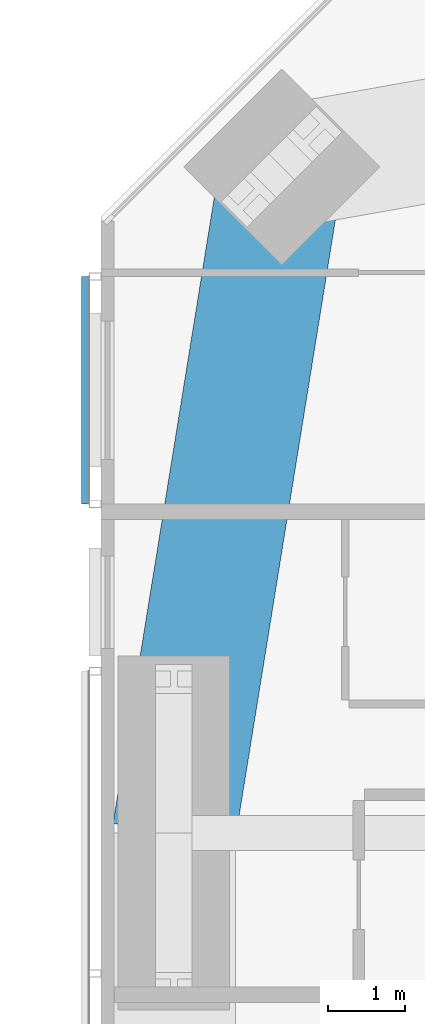
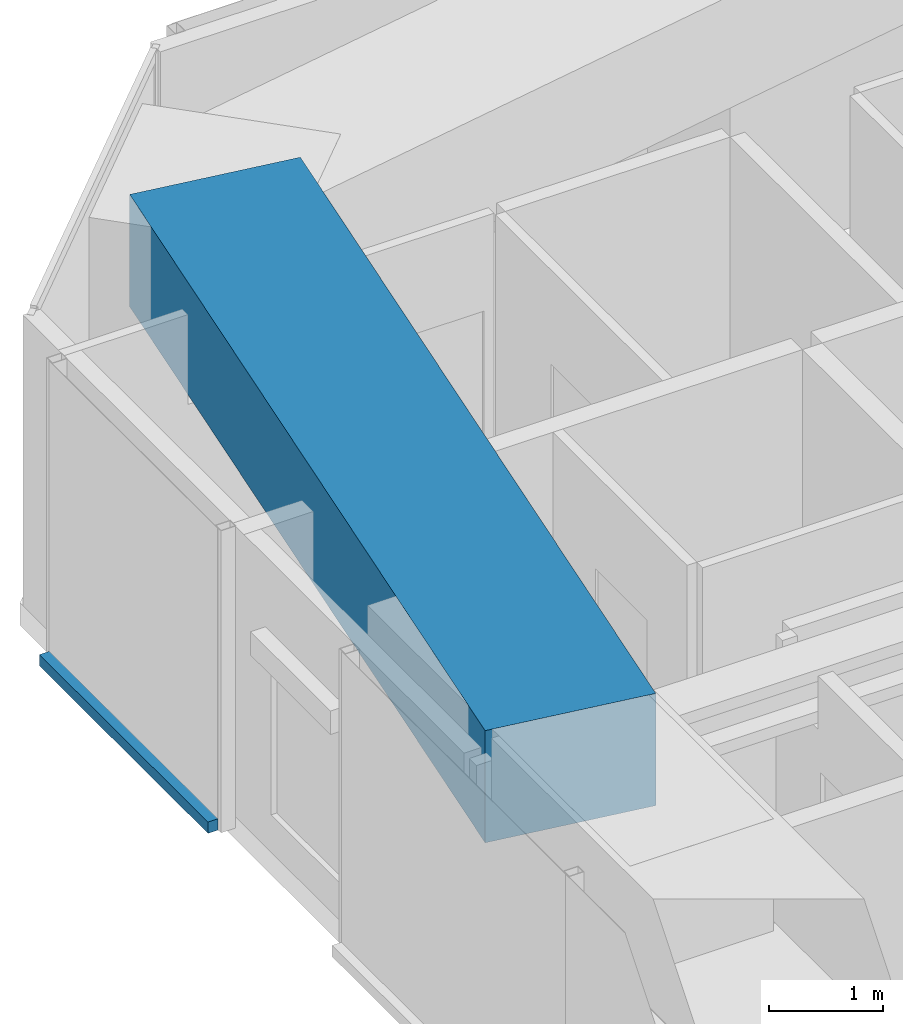
# One storey, part 6 of 23: 1 beam, 1 member, 1 element without a shape of its own.
"""IFC4 building model written with IfcOpenShell, lengths in metres."""

from ifc_helpers import new_model, si_unit, direction, frame, origin, origin_2d, place, context, subcontext, project, spatial, rectangle, extrude, material, material_profile, profile_set, type_object, element, aggregate, save


model = new_model("IFC4")

# Units and contexts
model_context = context("Model", 3, precision=1e-05, world=origin(), true_north=direction((0.0, 1.0)))
body_context = subcontext(model_context, "Body", "Model", "MODEL_VIEW")
ifc_project = project(units=[si_unit("LENGTHUNIT", "METRE"), si_unit("AREAUNIT", "SQUARE_METRE"), si_unit("VOLUMEUNIT", "CUBIC_METRE"), si_unit("PLANEANGLEUNIT", "RADIAN"), si_unit("MASSUNIT", "GRAM", prefix="KILO")], contexts=[model_context])

# Site, building, storey
site_placement = place(None, origin())
site = spatial("IfcSite", under=ifc_project, at=site_placement, CompositionType="ELEMENT")
building_placement = place(site_placement, origin())
building = spatial("IfcBuilding", under=site, at=building_placement, Name="Jalousie Tower", CompositionType="ELEMENT")
storey_placement = place(building_placement, frame((0.0, 0.0, 164.39990234375)))
storey = spatial("IfcBuildingStorey", under=building, at=storey_placement, Name="L44", CompositionType="ELEMENT", Elevation=164.39990234375)

# Beam
ifc_material_1 = material(Name="Concrete f'c 40 MPa", Category="concrete")
ifc_material_profile_1 = material_profile(ifc_material_1, rectangle(XDim=1.60009765625, YDim=1.199951171875, at=origin_2d()), Name="RC 1600x1200")
ifc_profile_set_1 = profile_set([ifc_material_profile_1], Name="Concrete f'c 40 MPa")
beam_type = type_object("IfcBeamType", Name="RC BEAM 1600x1200", PredefinedType="BEAM", material=ifc_profile_set_1)
beam_placement = place(storey_placement, frame((14.348388671875, 33.651611328125, 2.75), z_axis=(-0.159567878256, -0.987186959106, 0.0), x_axis=(0.987186959106, -0.159567878256, 0.0)))
element("IfcBeam", 1, at=beam_placement, inside=storey, type_object=beam_type, Name="Edge band beam 12-13 under L45", PredefinedType="BEAM", context=body_context, shape_type="SweptSolid", body=[
    extrude(rectangle(XDim=1.60009765625, YDim=1.199951171875, at=origin_2d()), origin(), (0.0, 0.0, 1.0), 8.763916015625),
])

# Curtain wall, member
ifc_material_2 = material(Name="Perforated aluminium sheet", Category="aluminium")
curtain_wall_type = type_object("IfcCurtainWallType", Name="SOLAR SCREEN SS-1", PredefinedType="USERDEFINED", material=ifc_material_2)
curtain_wall_placement = place(storey_placement, origin())
curtain_wall = element("IfcCurtainWall", 2, at=curtain_wall_placement, inside=storey, type_object=curtain_wall_type, Name="Solar screen L44", ObjectType="SOLAR SCREEN SS-1", PredefinedType="USERDEFINED")
ifc_material_3 = material(Name="Extruded aluminium screen rail", Category="aluminium")
ifc_material_profile_2 = material_profile(ifc_material_3, rectangle(XDim=0.1015625, YDim=0.1201171875, at=origin_2d()), Name="RAIL 102x120")
ifc_profile_set_2 = profile_set([ifc_material_profile_2], Name="Extruded aluminium screen rail")
member_type = type_object("IfcMemberType", Name="SOLAR SCREEN SS-1 TRANSOM", PredefinedType="USERDEFINED", material=ifc_profile_set_2)
member_placement = place(storey_placement, frame((11.8017578125, 32.228759765625, -0.059814453125), z_axis=(0.0, -1.0, 0.0), x_axis=(1.0, 0.0, 0.0)))
member = element("IfcMember", 3, at=member_placement, type_object=member_type, Name="SS1 rail", ObjectType="TRANSOM", PredefinedType="USERDEFINED", context=body_context, shape_type="SweptSolid", body=[
    extrude(rectangle(XDim=0.1015625, YDim=0.1201171875, at=origin_2d()), origin(), (0.0, 0.0, 1.0), 2.953857421875),
])
aggregate(curtain_wall, [member])

save(model, "model.ifc")
